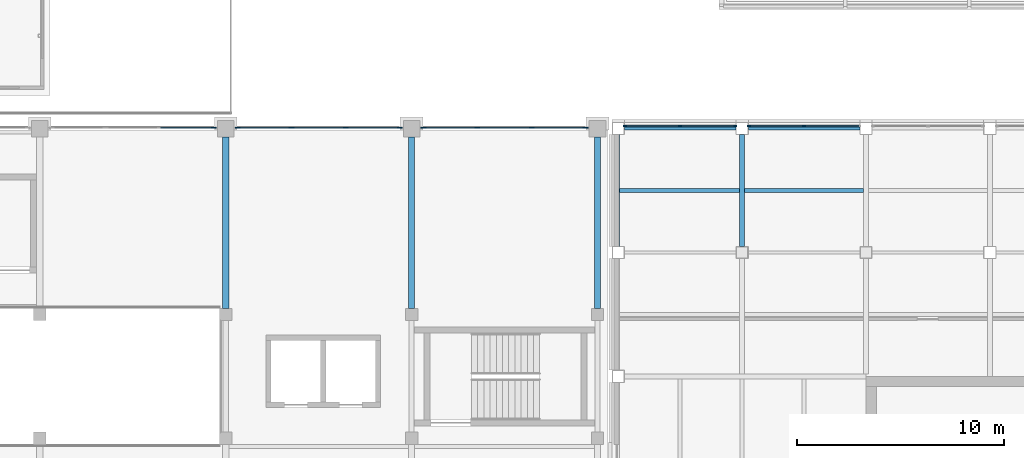
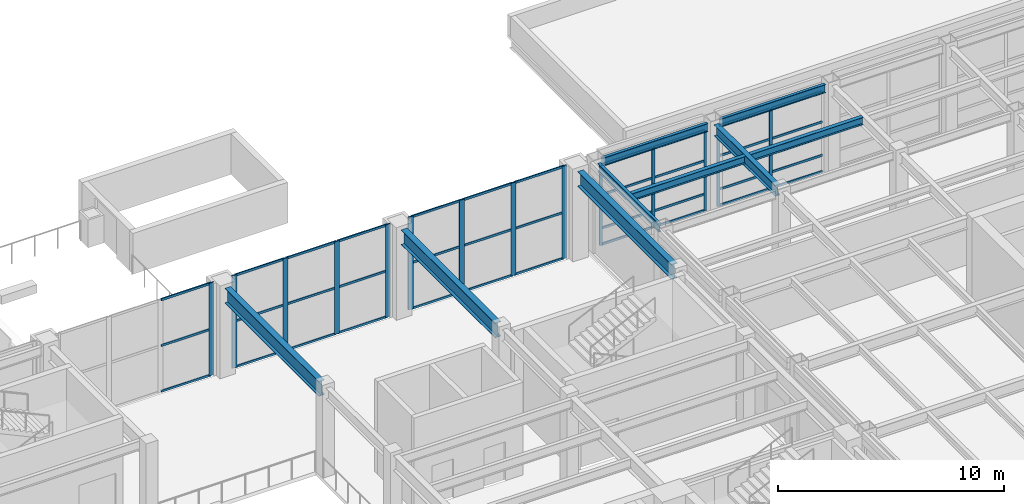
# One storey, part 24 of 67: 51 members, 9 beams, 5 elements without a shape of their own.
"""IFC4 building model written with IfcOpenShell, lengths in metres."""

from ifc_helpers import new_model, si_unit, direction, frame, origin, origin_2d, place, context, subcontext, project, spatial, rectangle, i_section, extrude, material, material_profile, profile_set, type_object, element, aggregate, save


model = new_model("IFC4")

# Units and contexts
model_context = context("Model", 3, precision=1e-05, world=origin(), true_north=direction((0.0, 1.0)))
body_context = subcontext(model_context, "Body", "Model", "MODEL_VIEW")
ifc_project = project(units=[si_unit("LENGTHUNIT", "METRE"), si_unit("AREAUNIT", "SQUARE_METRE"), si_unit("VOLUMEUNIT", "CUBIC_METRE"), si_unit("PLANEANGLEUNIT", "RADIAN"), si_unit("MASSUNIT", "GRAM", prefix="KILO")], contexts=[model_context])

# Site, building, storey
site_placement = place(None, origin())
site = spatial("IfcSite", under=ifc_project, at=site_placement, CompositionType="ELEMENT")
building_placement = place(site_placement, origin())
building = spatial("IfcBuilding", under=site, at=building_placement, Name="Aravalli Gate Trade Fair Centre", CompositionType="ELEMENT")
storey_placement = place(building_placement, frame((0.0, 0.0, 5.0)))
storey = spatial("IfcBuildingStorey", under=building, at=storey_placement, Name="L01", CompositionType="ELEMENT", Elevation=5.0)

# Curtain wall, member
ifc_material_1 = material(Name="Aluminium and glass", Category="aluminium")
curtain_wall_type_1 = type_object("IfcCurtainWallType", Name="Curtain wall 3000 module, tall", PredefinedType="NOTDEFINED", material=ifc_material_1)
curtain_wall_1_placement = place(storey_placement, origin())
curtain_wall_1 = element("IfcCurtainWall", 1, at=curtain_wall_1_placement, inside=storey, type_object=curtain_wall_type_1, Name="Curtain wall north bay 16 L01", PredefinedType="NOTDEFINED")
ifc_material_2 = material(Name="Aluminium", Category="aluminium")
ifc_material_profile_1 = material_profile(ifc_material_2, rectangle(XDim=0.06005859375, YDim=0.25, at=origin_2d()), Name="Concourse curtain wall mullion 60 x 250")
ifc_profile_set_1 = profile_set([ifc_material_profile_1], Name="Aluminium")
member_type_1 = type_object("IfcMemberType", Name="Concourse curtain wall mullion 60 x 250", PredefinedType="MULLION", material=ifc_profile_set_1)
member_1_placement = place(storey_placement, frame((140.419921875, 133.044921875, 0.0), z_axis=(0.0, 0.0, 1.0), x_axis=(0.0, 1.0, 0.0)))
member_1 = element("IfcMember", 2, at=member_1_placement, type_object=member_type_1, Name="CW3 mullion 4", PredefinedType="MULLION", context=body_context, shape_type="SweptSolid", body=[
    extrude(rectangle(XDim=0.06005859375, YDim=0.25, at=origin_2d()), origin(), (0.0, 0.0, 1.0), 5.0),
])

# Curtain wall, members
curtain_wall_2_placement = place(storey_placement, origin())
curtain_wall_2 = element("IfcCurtainWall", 3, at=curtain_wall_2_placement, inside=storey, type_object=curtain_wall_type_1, Name="Curtain wall north bay 17 L01", PredefinedType="NOTDEFINED")
member_2_placement = place(storey_placement, frame((141.580078125, 133.044921875, 0.0), z_axis=(0.0, 0.0, 1.0), x_axis=(0.0, 1.0, 0.0)))
member_2 = element("IfcMember", 4, at=member_2_placement, type_object=member_type_1, Name="CW3 mullion 1", PredefinedType="MULLION", context=body_context, shape_type="SweptSolid", body=[
    extrude(rectangle(XDim=0.06005859375, YDim=0.25, at=origin_2d()), origin(), (0.0, 0.0, 1.0), 5.0),
])
member_3_placement = place(storey_placement, frame((144.183349609375, 133.044921875, 0.0), z_axis=(0.0, 0.0, 1.0), x_axis=(0.0, 1.0, 0.0)))
member_3 = element("IfcMember", 5, at=member_3_placement, type_object=member_type_1, Name="CW3 mullion 2", PredefinedType="MULLION", context=body_context, shape_type="SweptSolid", body=[
    extrude(rectangle(XDim=0.06005859375, YDim=0.25, at=origin_2d()), origin(), (0.0, 0.0, 1.0), 5.0),
])
member_4_placement = place(storey_placement, frame((146.816650390625, 133.044921875, 0.0), z_axis=(0.0, 0.0, 1.0), x_axis=(0.0, 1.0, 0.0)))
member_4 = element("IfcMember", 6, at=member_4_placement, type_object=member_type_1, Name="CW3 mullion 3", PredefinedType="MULLION", context=body_context, shape_type="SweptSolid", body=[
    extrude(rectangle(XDim=0.06005859375, YDim=0.25, at=origin_2d()), origin(), (0.0, 0.0, 1.0), 5.0),
])
member_5_placement = place(storey_placement, frame((149.419921875, 133.044921875, 0.0), z_axis=(0.0, 0.0, 1.0), x_axis=(0.0, 1.0, 0.0)))
member_5 = element("IfcMember", 7, at=member_5_placement, type_object=member_type_1, Name="CW3 mullion 4", PredefinedType="MULLION", context=body_context, shape_type="SweptSolid", body=[
    extrude(rectangle(XDim=0.06005859375, YDim=0.25, at=origin_2d()), origin(), (0.0, 0.0, 1.0), 5.0),
])

curtain_wall_3_placement = place(storey_placement, origin())
curtain_wall_3 = element("IfcCurtainWall", 8, at=curtain_wall_3_placement, inside=storey, type_object=curtain_wall_type_1, Name="Curtain wall north bay 18 L01", PredefinedType="NOTDEFINED")
member_6_placement = place(storey_placement, frame((150.580078125, 133.044921875, 0.0), z_axis=(0.0, 0.0, 1.0), x_axis=(0.0, 1.0, 0.0)))
member_6 = element("IfcMember", 9, at=member_6_placement, type_object=member_type_1, Name="CW3 mullion 1", PredefinedType="MULLION", context=body_context, shape_type="SweptSolid", body=[
    extrude(rectangle(XDim=0.06005859375, YDim=0.25, at=origin_2d()), origin(), (0.0, 0.0, 1.0), 5.0),
])
member_7_placement = place(storey_placement, frame((153.183349609375, 133.044921875, 0.0), z_axis=(0.0, 0.0, 1.0), x_axis=(0.0, 1.0, 0.0)))
member_7 = element("IfcMember", 10, at=member_7_placement, type_object=member_type_1, Name="CW3 mullion 2", PredefinedType="MULLION", context=body_context, shape_type="SweptSolid", body=[
    extrude(rectangle(XDim=0.06005859375, YDim=0.25, at=origin_2d()), origin(), (0.0, 0.0, 1.0), 5.0),
])
member_8_placement = place(storey_placement, frame((155.816650390625, 133.044921875, 0.0), z_axis=(0.0, 0.0, 1.0), x_axis=(0.0, 1.0, 0.0)))
member_8 = element("IfcMember", 11, at=member_8_placement, type_object=member_type_1, Name="CW3 mullion 3", PredefinedType="MULLION", context=body_context, shape_type="SweptSolid", body=[
    extrude(rectangle(XDim=0.06005859375, YDim=0.25, at=origin_2d()), origin(), (0.0, 0.0, 1.0), 5.0),
])
member_9_placement = place(storey_placement, frame((158.419921875, 133.044921875, 0.0), z_axis=(0.0, 0.0, 1.0), x_axis=(0.0, 1.0, 0.0)))
member_9 = element("IfcMember", 12, at=member_9_placement, type_object=member_type_1, Name="CW3 mullion 4", PredefinedType="MULLION", context=body_context, shape_type="SweptSolid", body=[
    extrude(rectangle(XDim=0.06005859375, YDim=0.25, at=origin_2d()), origin(), (0.0, 0.0, 1.0), 5.0),
])

# Member
ifc_material_profile_2 = material_profile(ifc_material_2, rectangle(XDim=0.06005859375, YDim=0.1201171875, at=origin_2d()), Name="Concourse curtain wall transom 60 x 120")
ifc_profile_set_2 = profile_set([ifc_material_profile_2], Name="Aluminium")
member_type_2 = type_object("IfcMemberType", Name="Concourse curtain wall transom 60 x 120", PredefinedType="USERDEFINED", material=ifc_profile_set_2)
member_10_placement = place(storey_placement, frame((137.8466796875, 133.044921875, 0.030029296875), z_axis=(1.0, 0.0, 0.0), x_axis=(0.0, 1.0, 0.0)))
member_10 = element("IfcMember", 13, at=member_10_placement, type_object=member_type_2, Name="CW3 transom 3.1", ObjectType="TRANSOM", PredefinedType="USERDEFINED", context=body_context, shape_type="SweptSolid", body=[
    extrude(rectangle(XDim=0.06005859375, YDim=0.1201171875, at=origin_2d()), origin(), (0.0, 0.0, 1.0), 2.543212890625),
])

member_11_placement = place(storey_placement, frame((137.8466796875, 133.044921875, 2.5), z_axis=(1.0, 0.0, 0.0), x_axis=(0.0, 1.0, 0.0)))
member_11 = element("IfcMember", 14, at=member_11_placement, type_object=member_type_2, Name="CW3 transom 3.2", ObjectType="TRANSOM", PredefinedType="USERDEFINED", context=body_context, shape_type="SweptSolid", body=[
    extrude(rectangle(XDim=0.06005859375, YDim=0.1201171875, at=origin_2d()), origin(), (0.0, 0.0, 1.0), 2.543212890625),
])

member_12_placement = place(storey_placement, frame((137.8466796875, 133.044921875, 4.969970703125), z_axis=(1.0, 0.0, 0.0), x_axis=(0.0, 1.0, 0.0)))
member_12 = element("IfcMember", 15, at=member_12_placement, type_object=member_type_2, Name="CW3 transom 3.3", ObjectType="TRANSOM", PredefinedType="USERDEFINED", context=body_context, shape_type="SweptSolid", body=[
    extrude(rectangle(XDim=0.06005859375, YDim=0.1201171875, at=origin_2d()), origin(), (0.0, 0.0, 1.0), 2.543212890625),
])

aggregate(curtain_wall_1, [member_1, member_10, member_11, member_12])

member_13_placement = place(storey_placement, frame((141.610107421875, 133.044921875, 0.030029296875), z_axis=(1.0, 0.0, 0.0), x_axis=(0.0, 1.0, 0.0)))
member_13 = element("IfcMember", 16, at=member_13_placement, type_object=member_type_2, Name="CW3 transom 1.1", ObjectType="TRANSOM", PredefinedType="USERDEFINED", context=body_context, shape_type="SweptSolid", body=[
    extrude(rectangle(XDim=0.06005859375, YDim=0.1201171875, at=origin_2d()), origin(), (0.0, 0.0, 1.0), 2.543212890625),
])

member_14_placement = place(storey_placement, frame((141.610107421875, 133.044921875, 2.5), z_axis=(1.0, 0.0, 0.0), x_axis=(0.0, 1.0, 0.0)))
member_14 = element("IfcMember", 17, at=member_14_placement, type_object=member_type_2, Name="CW3 transom 1.2", ObjectType="TRANSOM", PredefinedType="USERDEFINED", context=body_context, shape_type="SweptSolid", body=[
    extrude(rectangle(XDim=0.06005859375, YDim=0.1201171875, at=origin_2d()), origin(), (0.0, 0.0, 1.0), 2.543212890625),
])

member_15_placement = place(storey_placement, frame((141.610107421875, 133.044921875, 4.969970703125), z_axis=(1.0, 0.0, 0.0), x_axis=(0.0, 1.0, 0.0)))
member_15 = element("IfcMember", 18, at=member_15_placement, type_object=member_type_2, Name="CW3 transom 1.3", ObjectType="TRANSOM", PredefinedType="USERDEFINED", context=body_context, shape_type="SweptSolid", body=[
    extrude(rectangle(XDim=0.06005859375, YDim=0.1201171875, at=origin_2d()), origin(), (0.0, 0.0, 1.0), 2.543212890625),
])

member_16_placement = place(storey_placement, frame((144.21337890625, 133.044921875, 0.030029296875), z_axis=(1.0, 0.0, 0.0), x_axis=(0.0, 1.0, 0.0)))
member_16 = element("IfcMember", 19, at=member_16_placement, type_object=member_type_2, Name="CW3 transom 2.1", ObjectType="TRANSOM", PredefinedType="USERDEFINED", context=body_context, shape_type="SweptSolid", body=[
    extrude(rectangle(XDim=0.06005859375, YDim=0.1201171875, at=origin_2d()), origin(), (0.0, 0.0, 1.0), 2.5732421875),
])

member_17_placement = place(storey_placement, frame((144.21337890625, 133.044921875, 2.5), z_axis=(1.0, 0.0, 0.0), x_axis=(0.0, 1.0, 0.0)))
member_17 = element("IfcMember", 20, at=member_17_placement, type_object=member_type_2, Name="CW3 transom 2.2", ObjectType="TRANSOM", PredefinedType="USERDEFINED", context=body_context, shape_type="SweptSolid", body=[
    extrude(rectangle(XDim=0.06005859375, YDim=0.1201171875, at=origin_2d()), origin(), (0.0, 0.0, 1.0), 2.5732421875),
])

member_18_placement = place(storey_placement, frame((144.21337890625, 133.044921875, 4.969970703125), z_axis=(1.0, 0.0, 0.0), x_axis=(0.0, 1.0, 0.0)))
member_18 = element("IfcMember", 21, at=member_18_placement, type_object=member_type_2, Name="CW3 transom 2.3", ObjectType="TRANSOM", PredefinedType="USERDEFINED", context=body_context, shape_type="SweptSolid", body=[
    extrude(rectangle(XDim=0.06005859375, YDim=0.1201171875, at=origin_2d()), origin(), (0.0, 0.0, 1.0), 2.5732421875),
])

member_19_placement = place(storey_placement, frame((146.8466796875, 133.044921875, 0.030029296875), z_axis=(1.0, 0.0, 0.0), x_axis=(0.0, 1.0, 0.0)))
member_19 = element("IfcMember", 22, at=member_19_placement, type_object=member_type_2, Name="CW3 transom 3.1", ObjectType="TRANSOM", PredefinedType="USERDEFINED", context=body_context, shape_type="SweptSolid", body=[
    extrude(rectangle(XDim=0.06005859375, YDim=0.1201171875, at=origin_2d()), origin(), (0.0, 0.0, 1.0), 2.543212890625),
])

member_20_placement = place(storey_placement, frame((146.8466796875, 133.044921875, 2.5), z_axis=(1.0, 0.0, 0.0), x_axis=(0.0, 1.0, 0.0)))
member_20 = element("IfcMember", 23, at=member_20_placement, type_object=member_type_2, Name="CW3 transom 3.2", ObjectType="TRANSOM", PredefinedType="USERDEFINED", context=body_context, shape_type="SweptSolid", body=[
    extrude(rectangle(XDim=0.06005859375, YDim=0.1201171875, at=origin_2d()), origin(), (0.0, 0.0, 1.0), 2.543212890625),
])

member_21_placement = place(storey_placement, frame((146.8466796875, 133.044921875, 4.969970703125), z_axis=(1.0, 0.0, 0.0), x_axis=(0.0, 1.0, 0.0)))
member_21 = element("IfcMember", 24, at=member_21_placement, type_object=member_type_2, Name="CW3 transom 3.3", ObjectType="TRANSOM", PredefinedType="USERDEFINED", context=body_context, shape_type="SweptSolid", body=[
    extrude(rectangle(XDim=0.06005859375, YDim=0.1201171875, at=origin_2d()), origin(), (0.0, 0.0, 1.0), 2.543212890625),
])

aggregate(curtain_wall_2, [member_2, member_3, member_4, member_5, member_13, member_14, member_15, member_16, member_17, member_18, member_19, member_20, member_21])

member_22_placement = place(storey_placement, frame((150.610107421875, 133.044921875, 0.030029296875), z_axis=(1.0, 0.0, 0.0), x_axis=(0.0, 1.0, 0.0)))
member_22 = element("IfcMember", 25, at=member_22_placement, type_object=member_type_2, Name="CW3 transom 1.1", ObjectType="TRANSOM", PredefinedType="USERDEFINED", context=body_context, shape_type="SweptSolid", body=[
    extrude(rectangle(XDim=0.06005859375, YDim=0.1201171875, at=origin_2d()), origin(), (0.0, 0.0, 1.0), 2.543212890625),
])

member_23_placement = place(storey_placement, frame((150.610107421875, 133.044921875, 2.5), z_axis=(1.0, 0.0, 0.0), x_axis=(0.0, 1.0, 0.0)))
member_23 = element("IfcMember", 26, at=member_23_placement, type_object=member_type_2, Name="CW3 transom 1.2", ObjectType="TRANSOM", PredefinedType="USERDEFINED", context=body_context, shape_type="SweptSolid", body=[
    extrude(rectangle(XDim=0.06005859375, YDim=0.1201171875, at=origin_2d()), origin(), (0.0, 0.0, 1.0), 2.543212890625),
])

member_24_placement = place(storey_placement, frame((150.610107421875, 133.044921875, 4.969970703125), z_axis=(1.0, 0.0, 0.0), x_axis=(0.0, 1.0, 0.0)))
member_24 = element("IfcMember", 27, at=member_24_placement, type_object=member_type_2, Name="CW3 transom 1.3", ObjectType="TRANSOM", PredefinedType="USERDEFINED", context=body_context, shape_type="SweptSolid", body=[
    extrude(rectangle(XDim=0.06005859375, YDim=0.1201171875, at=origin_2d()), origin(), (0.0, 0.0, 1.0), 2.543212890625),
])

member_25_placement = place(storey_placement, frame((153.21337890625, 133.044921875, 0.030029296875), z_axis=(1.0, 0.0, 0.0), x_axis=(0.0, 1.0, 0.0)))
member_25 = element("IfcMember", 28, at=member_25_placement, type_object=member_type_2, Name="CW3 transom 2.1", ObjectType="TRANSOM", PredefinedType="USERDEFINED", context=body_context, shape_type="SweptSolid", body=[
    extrude(rectangle(XDim=0.06005859375, YDim=0.1201171875, at=origin_2d()), origin(), (0.0, 0.0, 1.0), 2.5732421875),
])

member_26_placement = place(storey_placement, frame((153.21337890625, 133.044921875, 2.5), z_axis=(1.0, 0.0, 0.0), x_axis=(0.0, 1.0, 0.0)))
member_26 = element("IfcMember", 29, at=member_26_placement, type_object=member_type_2, Name="CW3 transom 2.2", ObjectType="TRANSOM", PredefinedType="USERDEFINED", context=body_context, shape_type="SweptSolid", body=[
    extrude(rectangle(XDim=0.06005859375, YDim=0.1201171875, at=origin_2d()), origin(), (0.0, 0.0, 1.0), 2.5732421875),
])

member_27_placement = place(storey_placement, frame((153.21337890625, 133.044921875, 4.969970703125), z_axis=(1.0, 0.0, 0.0), x_axis=(0.0, 1.0, 0.0)))
member_27 = element("IfcMember", 30, at=member_27_placement, type_object=member_type_2, Name="CW3 transom 2.3", ObjectType="TRANSOM", PredefinedType="USERDEFINED", context=body_context, shape_type="SweptSolid", body=[
    extrude(rectangle(XDim=0.06005859375, YDim=0.1201171875, at=origin_2d()), origin(), (0.0, 0.0, 1.0), 2.5732421875),
])

member_28_placement = place(storey_placement, frame((155.8466796875, 133.044921875, 0.030029296875), z_axis=(1.0, 0.0, 0.0), x_axis=(0.0, 1.0, 0.0)))
member_28 = element("IfcMember", 31, at=member_28_placement, type_object=member_type_2, Name="CW3 transom 3.1", ObjectType="TRANSOM", PredefinedType="USERDEFINED", context=body_context, shape_type="SweptSolid", body=[
    extrude(rectangle(XDim=0.06005859375, YDim=0.1201171875, at=origin_2d()), origin(), (0.0, 0.0, 1.0), 2.543212890625),
])

member_29_placement = place(storey_placement, frame((155.8466796875, 133.044921875, 2.5), z_axis=(1.0, 0.0, 0.0), x_axis=(0.0, 1.0, 0.0)))
member_29 = element("IfcMember", 32, at=member_29_placement, type_object=member_type_2, Name="CW3 transom 3.2", ObjectType="TRANSOM", PredefinedType="USERDEFINED", context=body_context, shape_type="SweptSolid", body=[
    extrude(rectangle(XDim=0.06005859375, YDim=0.1201171875, at=origin_2d()), origin(), (0.0, 0.0, 1.0), 2.543212890625),
])

member_30_placement = place(storey_placement, frame((155.8466796875, 133.044921875, 4.969970703125), z_axis=(1.0, 0.0, 0.0), x_axis=(0.0, 1.0, 0.0)))
member_30 = element("IfcMember", 33, at=member_30_placement, type_object=member_type_2, Name="CW3 transom 3.3", ObjectType="TRANSOM", PredefinedType="USERDEFINED", context=body_context, shape_type="SweptSolid", body=[
    extrude(rectangle(XDim=0.06005859375, YDim=0.1201171875, at=origin_2d()), origin(), (0.0, 0.0, 1.0), 2.543212890625),
])

aggregate(curtain_wall_3, [member_6, member_7, member_8, member_9, member_22, member_23, member_24, member_25, member_26, member_27, member_28, member_29, member_30])

# Beams
ifc_material_3 = material(Name="Steel E350", Category="steel")
ifc_material_profile_3 = material_profile(ifc_material_3, i_section(OverallWidth=0.300048828125, OverallDepth=0.800048828125, WebThickness=0.011962890625, FlangeThickness=0.02490234375, at=origin_2d()), Name="PG 800x300x12x25")
ifc_profile_set_3 = profile_set([ifc_material_profile_3], Name="Steel E350")
beam_type_1 = type_object("IfcBeamType", Name="PG 800x300x12x25 gallery plate girder", PredefinedType="BEAM", material=ifc_profile_set_3)
for number, where, z_axis, x_axis, name in (
    (34, (141.0, 124.300048828125, 4.39990234375), (0.0, 1.0, 0.0), (-1.0, 0.0, 0.0), "Gallery girder N16 L02"),
    (35, (150.0, 124.300048828125, 4.39990234375), (0.0, 1.0, 0.0), (-1.0, 0.0, 0.0), "Gallery girder N17 L02"),
    (36, (159.0, 124.300048828125, 4.39990234375), (0.0, 1.0, 0.0), (-1.0, 0.0, 0.0), "Gallery girder NE L02"),
):
    element("IfcBeam", number, at=place(storey_placement, frame(where, z_axis=z_axis, x_axis=x_axis)), inside=storey, type_object=beam_type_1, Name=name, PredefinedType="BEAM", context=body_context, shape_type="SweptSolid", body=[
        extrude(i_section(OverallWidth=0.300048828125, OverallDepth=0.800048828125, WebThickness=0.011962890625, FlangeThickness=0.02490234375, at=origin_2d()), origin(), (0.0, 0.0, 1.0), 8.300048828125),
    ])
ifc_material_profile_4 = material_profile(ifc_material_3, i_section(OverallWidth=0.25, OverallDepth=0.60009765625, WebThickness=0.01123046875, FlangeThickness=0.021240234375, at=origin_2d()), Name="ISWB 600")
ifc_profile_set_4 = profile_set([ifc_material_profile_4], Name="Steel E350")
beam_type_2 = type_object("IfcBeamType", Name="Wing corner transfer girder ISWB 600 (podium floors)", PredefinedType="BEAM", material=ifc_profile_set_4)
beam_1_placement = place(storey_placement, frame((166.0, 127.300048828125, 4.5), z_axis=(0.0, 1.0, 0.0), x_axis=(-1.0, 0.0, 0.0)))
element("IfcBeam", 37, at=beam_1_placement, inside=storey, type_object=beam_type_2, Name="Corner transfer girder CNWyb L02", PredefinedType="BEAM", context=body_context, shape_type="SweptSolid", body=[
    extrude(i_section(OverallWidth=0.25, OverallDepth=0.60009765625, WebThickness=0.01123046875, FlangeThickness=0.021240234375, at=origin_2d()), origin(), (0.0, 0.0, 1.0), 5.39990234375),
])

# Curtain wall, members
curtain_wall_type_2 = type_object("IfcCurtainWallType", Name="Wing curtain wall", PredefinedType="NOTDEFINED", material=ifc_material_1)
curtain_wall_4_placement = place(storey_placement, origin())
curtain_wall_4 = element("IfcCurtainWall", 38, at=curtain_wall_4_placement, inside=storey, type_object=curtain_wall_type_2, Name="Curtain wall N0 L01", PredefinedType="NOTDEFINED")
ifc_material_profile_5 = material_profile(ifc_material_2, rectangle(XDim=0.06005859375, YDim=0.159912109375, at=origin_2d()), Name="Wing curtain wall mullion 60 x 160")
ifc_profile_set_5 = profile_set([ifc_material_profile_5], Name="Aluminium")
member_type_3 = type_object("IfcMemberType", Name="Wing curtain wall mullion 60 x 160", PredefinedType="MULLION", material=ifc_profile_set_5)
member_31_placement = place(storey_placement, frame((160.330078125, 133.125, 0.0), z_axis=(0.0, 0.0, 1.0), x_axis=(0.0, 1.0, 0.0)))
member_31 = element("IfcMember", 39, at=member_31_placement, type_object=member_type_3, Name="TCW1 mullion 1", PredefinedType="MULLION", context=body_context, shape_type="SweptSolid", body=[
    extrude(rectangle(XDim=0.06005859375, YDim=0.159912109375, at=origin_2d()), origin(), (0.0, 0.0, 1.0), 4.35009765625),
])
member_32_placement = place(storey_placement, frame((163.0, 133.125, 0.0), z_axis=(0.0, 0.0, 1.0), x_axis=(0.0, 1.0, 0.0)))
member_32 = element("IfcMember", 40, at=member_32_placement, type_object=member_type_3, Name="TCW1 mullion 2", PredefinedType="MULLION", context=body_context, shape_type="SweptSolid", body=[
    extrude(rectangle(XDim=0.06005859375, YDim=0.159912109375, at=origin_2d()), origin(), (0.0, 0.0, 1.0), 4.35009765625),
])
member_33_placement = place(storey_placement, frame((165.669921875, 133.125, 0.0), z_axis=(0.0, 0.0, 1.0), x_axis=(0.0, 1.0, 0.0)))
member_33 = element("IfcMember", 41, at=member_33_placement, type_object=member_type_3, Name="TCW1 mullion 3", PredefinedType="MULLION", context=body_context, shape_type="SweptSolid", body=[
    extrude(rectangle(XDim=0.06005859375, YDim=0.159912109375, at=origin_2d()), origin(), (0.0, 0.0, 1.0), 4.35009765625),
])

curtain_wall_5_placement = place(storey_placement, origin())
curtain_wall_5 = element("IfcCurtainWall", 42, at=curtain_wall_5_placement, inside=storey, type_object=curtain_wall_type_2, Name="Curtain wall N1 L01", PredefinedType="NOTDEFINED")
member_34_placement = place(storey_placement, frame((166.330078125, 133.125, 0.0), z_axis=(0.0, 0.0, 1.0), x_axis=(0.0, 1.0, 0.0)))
member_34 = element("IfcMember", 43, at=member_34_placement, type_object=member_type_3, Name="TCW1 mullion 1", PredefinedType="MULLION", context=body_context, shape_type="SweptSolid", body=[
    extrude(rectangle(XDim=0.06005859375, YDim=0.159912109375, at=origin_2d()), origin(), (0.0, 0.0, 1.0), 4.35009765625),
])
member_35_placement = place(storey_placement, frame((169.0, 133.125, 0.0), z_axis=(0.0, 0.0, 1.0), x_axis=(0.0, 1.0, 0.0)))
member_35 = element("IfcMember", 44, at=member_35_placement, type_object=member_type_3, Name="TCW1 mullion 2", PredefinedType="MULLION", context=body_context, shape_type="SweptSolid", body=[
    extrude(rectangle(XDim=0.06005859375, YDim=0.159912109375, at=origin_2d()), origin(), (0.0, 0.0, 1.0), 4.35009765625),
])

# Member
ifc_material_profile_6 = material_profile(ifc_material_2, rectangle(XDim=0.06005859375, YDim=0.1201171875, at=origin_2d()), Name="Wing curtain wall transom 60 x 120")
ifc_profile_set_6 = profile_set([ifc_material_profile_6], Name="Aluminium")
member_type_4 = type_object("IfcMemberType", Name="Wing curtain wall transom 60 x 120", PredefinedType="USERDEFINED", material=ifc_profile_set_6)
member_36_placement = place(storey_placement, frame((160.360107421875, 133.125, 0.030029296875), z_axis=(1.0, 0.0, 0.0), x_axis=(0.0, 1.0, 0.0)))
member_36 = element("IfcMember", 45, at=member_36_placement, type_object=member_type_4, Name="TCW1 transom 1.1", ObjectType="TRANSOM", PredefinedType="USERDEFINED", context=body_context, shape_type="SweptSolid", body=[
    extrude(rectangle(XDim=0.06005859375, YDim=0.1201171875, at=origin_2d()), origin(), (0.0, 0.0, 1.0), 2.60986328125),
])

member_37_placement = place(storey_placement, frame((160.360107421875, 133.125, 0.89990234375), z_axis=(1.0, 0.0, 0.0), x_axis=(0.0, 1.0, 0.0)))
member_37 = element("IfcMember", 46, at=member_37_placement, type_object=member_type_4, Name="TCW1 transom 1.2", ObjectType="TRANSOM", PredefinedType="USERDEFINED", context=body_context, shape_type="SweptSolid", body=[
    extrude(rectangle(XDim=0.06005859375, YDim=0.1201171875, at=origin_2d()), origin(), (0.0, 0.0, 1.0), 2.60986328125),
])

member_38_placement = place(storey_placement, frame((160.360107421875, 133.125, 2.699951171875), z_axis=(1.0, 0.0, 0.0), x_axis=(0.0, 1.0, 0.0)))
member_38 = element("IfcMember", 47, at=member_38_placement, type_object=member_type_4, Name="TCW1 transom 1.3", ObjectType="TRANSOM", PredefinedType="USERDEFINED", context=body_context, shape_type="SweptSolid", body=[
    extrude(rectangle(XDim=0.06005859375, YDim=0.1201171875, at=origin_2d()), origin(), (0.0, 0.0, 1.0), 2.60986328125),
])

member_39_placement = place(storey_placement, frame((160.360107421875, 133.125, 4.320068359375), z_axis=(1.0, 0.0, 0.0), x_axis=(0.0, 1.0, 0.0)))
member_39 = element("IfcMember", 48, at=member_39_placement, type_object=member_type_4, Name="TCW1 transom 1.4", ObjectType="TRANSOM", PredefinedType="USERDEFINED", context=body_context, shape_type="SweptSolid", body=[
    extrude(rectangle(XDim=0.06005859375, YDim=0.1201171875, at=origin_2d()), origin(), (0.0, 0.0, 1.0), 2.60986328125),
])

member_40_placement = place(storey_placement, frame((163.030029296875, 133.125, 0.030029296875), z_axis=(1.0, 0.0, 0.0), x_axis=(0.0, 1.0, 0.0)))
member_40 = element("IfcMember", 49, at=member_40_placement, type_object=member_type_4, Name="TCW1 transom 2.1", ObjectType="TRANSOM", PredefinedType="USERDEFINED", context=body_context, shape_type="SweptSolid", body=[
    extrude(rectangle(XDim=0.06005859375, YDim=0.1201171875, at=origin_2d()), origin(), (0.0, 0.0, 1.0), 2.60986328125),
])

member_41_placement = place(storey_placement, frame((163.030029296875, 133.125, 0.89990234375), z_axis=(1.0, 0.0, 0.0), x_axis=(0.0, 1.0, 0.0)))
member_41 = element("IfcMember", 50, at=member_41_placement, type_object=member_type_4, Name="TCW1 transom 2.2", ObjectType="TRANSOM", PredefinedType="USERDEFINED", context=body_context, shape_type="SweptSolid", body=[
    extrude(rectangle(XDim=0.06005859375, YDim=0.1201171875, at=origin_2d()), origin(), (0.0, 0.0, 1.0), 2.60986328125),
])

member_42_placement = place(storey_placement, frame((163.030029296875, 133.125, 2.699951171875), z_axis=(1.0, 0.0, 0.0), x_axis=(0.0, 1.0, 0.0)))
member_42 = element("IfcMember", 51, at=member_42_placement, type_object=member_type_4, Name="TCW1 transom 2.3", ObjectType="TRANSOM", PredefinedType="USERDEFINED", context=body_context, shape_type="SweptSolid", body=[
    extrude(rectangle(XDim=0.06005859375, YDim=0.1201171875, at=origin_2d()), origin(), (0.0, 0.0, 1.0), 2.60986328125),
])

member_43_placement = place(storey_placement, frame((163.030029296875, 133.125, 4.320068359375), z_axis=(1.0, 0.0, 0.0), x_axis=(0.0, 1.0, 0.0)))
member_43 = element("IfcMember", 52, at=member_43_placement, type_object=member_type_4, Name="TCW1 transom 2.4", ObjectType="TRANSOM", PredefinedType="USERDEFINED", context=body_context, shape_type="SweptSolid", body=[
    extrude(rectangle(XDim=0.06005859375, YDim=0.1201171875, at=origin_2d()), origin(), (0.0, 0.0, 1.0), 2.60986328125),
])

aggregate(curtain_wall_4, [member_31, member_32, member_33, member_36, member_37, member_38, member_39, member_40, member_41, member_42, member_43])

member_44_placement = place(storey_placement, frame((166.360107421875, 133.125, 0.030029296875), z_axis=(1.0, 0.0, 0.0), x_axis=(0.0, 1.0, 0.0)))
member_44 = element("IfcMember", 53, at=member_44_placement, type_object=member_type_4, Name="TCW1 transom 1.1", ObjectType="TRANSOM", PredefinedType="USERDEFINED", context=body_context, shape_type="SweptSolid", body=[
    extrude(rectangle(XDim=0.06005859375, YDim=0.1201171875, at=origin_2d()), origin(), (0.0, 0.0, 1.0), 2.60986328125),
])

member_45_placement = place(storey_placement, frame((166.360107421875, 133.125, 0.89990234375), z_axis=(1.0, 0.0, 0.0), x_axis=(0.0, 1.0, 0.0)))
member_45 = element("IfcMember", 54, at=member_45_placement, type_object=member_type_4, Name="TCW1 transom 1.2", ObjectType="TRANSOM", PredefinedType="USERDEFINED", context=body_context, shape_type="SweptSolid", body=[
    extrude(rectangle(XDim=0.06005859375, YDim=0.1201171875, at=origin_2d()), origin(), (0.0, 0.0, 1.0), 2.60986328125),
])

member_46_placement = place(storey_placement, frame((166.360107421875, 133.125, 2.699951171875), z_axis=(1.0, 0.0, 0.0), x_axis=(0.0, 1.0, 0.0)))
member_46 = element("IfcMember", 55, at=member_46_placement, type_object=member_type_4, Name="TCW1 transom 1.3", ObjectType="TRANSOM", PredefinedType="USERDEFINED", context=body_context, shape_type="SweptSolid", body=[
    extrude(rectangle(XDim=0.06005859375, YDim=0.1201171875, at=origin_2d()), origin(), (0.0, 0.0, 1.0), 2.60986328125),
])

member_47_placement = place(storey_placement, frame((166.360107421875, 133.125, 4.320068359375), z_axis=(1.0, 0.0, 0.0), x_axis=(0.0, 1.0, 0.0)))
member_47 = element("IfcMember", 56, at=member_47_placement, type_object=member_type_4, Name="TCW1 transom 1.4", ObjectType="TRANSOM", PredefinedType="USERDEFINED", context=body_context, shape_type="SweptSolid", body=[
    extrude(rectangle(XDim=0.06005859375, YDim=0.1201171875, at=origin_2d()), origin(), (0.0, 0.0, 1.0), 2.60986328125),
])

member_48_placement = place(storey_placement, frame((169.030029296875, 133.125, 0.030029296875), z_axis=(1.0, 0.0, 0.0), x_axis=(0.0, 1.0, 0.0)))
member_48 = element("IfcMember", 57, at=member_48_placement, type_object=member_type_4, Name="TCW1 transom 2.1", ObjectType="TRANSOM", PredefinedType="USERDEFINED", context=body_context, shape_type="SweptSolid", body=[
    extrude(rectangle(XDim=0.06005859375, YDim=0.1201171875, at=origin_2d()), origin(), (0.0, 0.0, 1.0), 2.60986328125),
])

member_49_placement = place(storey_placement, frame((169.030029296875, 133.125, 0.89990234375), z_axis=(1.0, 0.0, 0.0), x_axis=(0.0, 1.0, 0.0)))
member_49 = element("IfcMember", 58, at=member_49_placement, type_object=member_type_4, Name="TCW1 transom 2.2", ObjectType="TRANSOM", PredefinedType="USERDEFINED", context=body_context, shape_type="SweptSolid", body=[
    extrude(rectangle(XDim=0.06005859375, YDim=0.1201171875, at=origin_2d()), origin(), (0.0, 0.0, 1.0), 2.60986328125),
])

member_50_placement = place(storey_placement, frame((169.030029296875, 133.125, 2.699951171875), z_axis=(1.0, 0.0, 0.0), x_axis=(0.0, 1.0, 0.0)))
member_50 = element("IfcMember", 59, at=member_50_placement, type_object=member_type_4, Name="TCW1 transom 2.3", ObjectType="TRANSOM", PredefinedType="USERDEFINED", context=body_context, shape_type="SweptSolid", body=[
    extrude(rectangle(XDim=0.06005859375, YDim=0.1201171875, at=origin_2d()), origin(), (0.0, 0.0, 1.0), 2.60986328125),
])

member_51_placement = place(storey_placement, frame((169.030029296875, 133.125, 4.320068359375), z_axis=(1.0, 0.0, 0.0), x_axis=(0.0, 1.0, 0.0)))
member_51 = element("IfcMember", 60, at=member_51_placement, type_object=member_type_4, Name="TCW1 transom 2.4", ObjectType="TRANSOM", PredefinedType="USERDEFINED", context=body_context, shape_type="SweptSolid", body=[
    extrude(rectangle(XDim=0.06005859375, YDim=0.1201171875, at=origin_2d()), origin(), (0.0, 0.0, 1.0), 2.60986328125),
])

aggregate(curtain_wall_5, [member_34, member_35, member_44, member_45, member_46, member_47, member_48, member_49, member_50, member_51])

# Beams
ifc_material_profile_7 = material_profile(ifc_material_3, i_section(OverallWidth=0.14990234375, OverallDepth=0.449951171875, WebThickness=0.009521484375, FlangeThickness=0.017333984375, at=origin_2d()), Name="ISMB 450")
ifc_profile_set_7 = profile_set([ifc_material_profile_7], Name="Steel E350")
beam_type_3 = type_object("IfcBeamType", Name="Wing perimeter beam ISMB 450 (podium floors)", PredefinedType="BEAM", material=ifc_profile_set_7)
for number, where, z_axis, x_axis, name in (
    (61, (160.300048828125, 133.0, 4.574951171875), (1.0, 0.0, 0.0), (0.0, 1.0, 0.0), "Perimeter beam EN0 L02"),
    (62, (166.300048828125, 133.0, 4.574951171875), (1.0, 0.0, 0.0), (0.0, 1.0, 0.0), "Perimeter beam EN1 L02"),
    (63, (160.0, 127.300048828125, 4.574951171875), (0.0, 1.0, 0.0), (-1.0, 0.0, 0.0), "Perimeter beam EW6 L02"),
):
    element("IfcBeam", number, at=place(storey_placement, frame(where, z_axis=z_axis, x_axis=x_axis)), inside=storey, type_object=beam_type_3, Name=name, PredefinedType="BEAM", context=body_context, shape_type="SweptSolid", body=[
        extrude(i_section(OverallWidth=0.14990234375, OverallDepth=0.449951171875, WebThickness=0.009521484375, FlangeThickness=0.017333984375, at=origin_2d()), origin(), (0.0, 0.0, 1.0), 5.39990234375),
    ])
ifc_material_profile_8 = material_profile(ifc_material_3, i_section(OverallWidth=0.199951171875, OverallDepth=0.39990234375, WebThickness=0.008544921875, FlangeThickness=0.012939453125, at=origin_2d()), Name="ISWB 400")
ifc_profile_set_8 = profile_set([ifc_material_profile_8], Name="Steel E350")
beam_type_4 = type_object("IfcBeamType", Name="Wing secondary beam ISWB 400 (podium floors)", PredefinedType="BEAM", material=ifc_profile_set_8)
beam_2_placement = place(storey_placement, frame((160.074951171875, 130.0, 4.60009765625), z_axis=(1.0, 0.0, 0.0), x_axis=(0.0, 1.0, 0.0)))
element("IfcBeam", 64, at=beam_2_placement, inside=storey, type_object=beam_type_4, Name="Secondary beam KWN10 L02", PredefinedType="BEAM", context=body_context, shape_type="SweptSolid", body=[
    extrude(i_section(OverallWidth=0.199951171875, OverallDepth=0.39990234375, WebThickness=0.008544921875, FlangeThickness=0.012939453125, at=origin_2d()), origin(), (0.0, 0.0, 1.0), 5.800048828125),
])
beam_3_placement = place(storey_placement, frame((166.125, 130.0, 4.60009765625), z_axis=(1.0, 0.0, 0.0), x_axis=(0.0, 1.0, 0.0)))
element("IfcBeam", 65, at=beam_3_placement, inside=storey, type_object=beam_type_4, Name="Secondary beam KWN11 L02", PredefinedType="BEAM", context=body_context, shape_type="SweptSolid", body=[
    extrude(i_section(OverallWidth=0.199951171875, OverallDepth=0.39990234375, WebThickness=0.008544921875, FlangeThickness=0.012939453125, at=origin_2d()), origin(), (0.0, 0.0, 1.0), 5.75),
])

save(model, "model.ifc")
